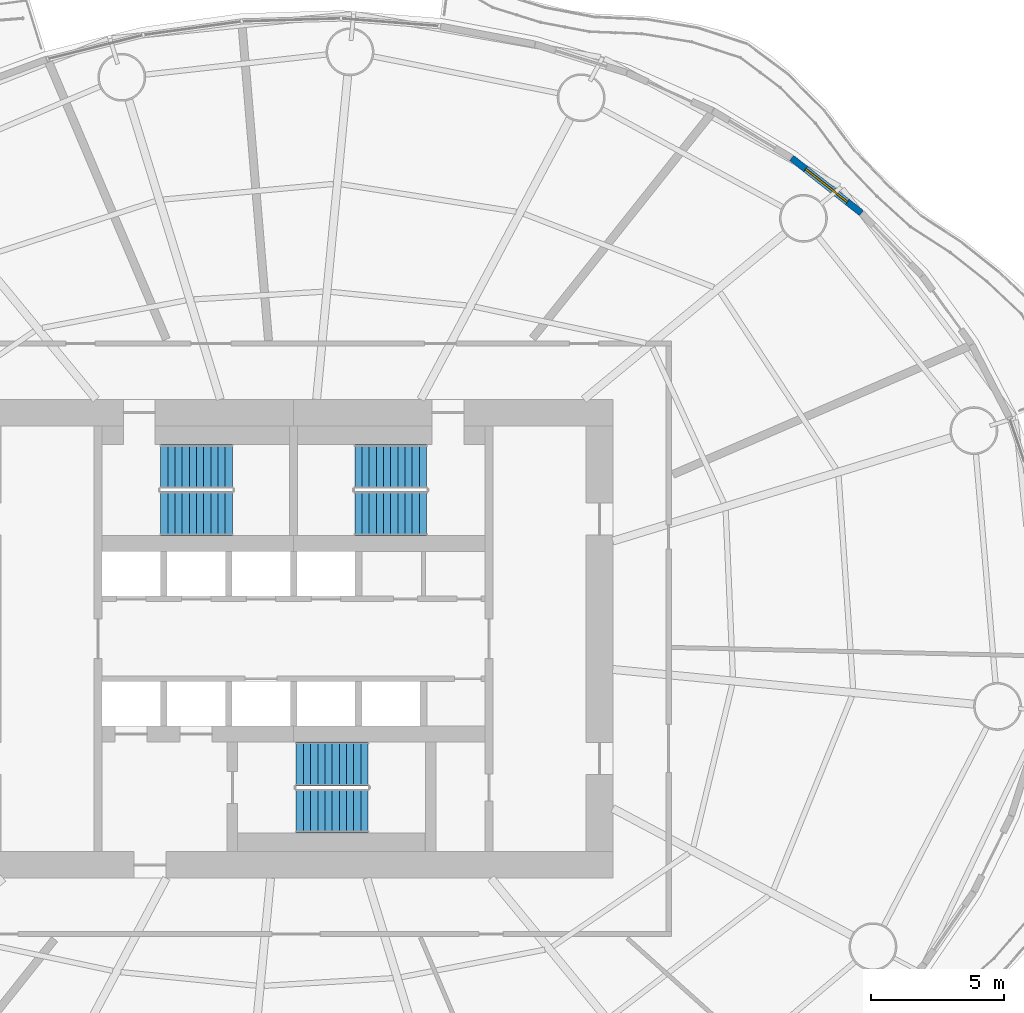
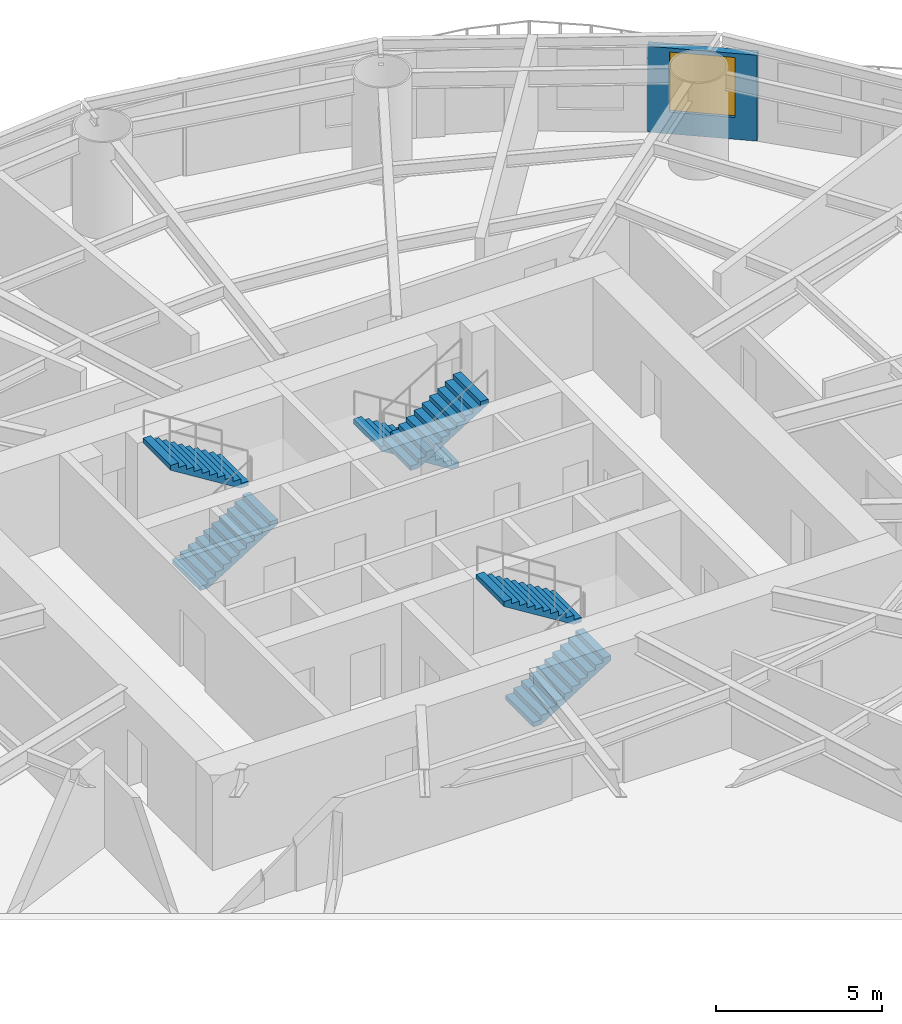
# One storey, part 11 of 17: 6 stair flights, 1 wall, 1 window, 1 opening, 3 elements without a shape of their own.
"""IFC4 building model written with IfcOpenShell, lengths in metres."""

from ifc_helpers import new_model, si_unit, direction, frame, frame_2d, origin, place, context, subcontext, project, spatial, polyline, rectangle, outline, extrude, material, layer, layer_set, type_object, element, fill, aggregate, save


model = new_model("IFC4")

# Units and contexts
model_context = context("Model", 3, precision=1e-05, world=origin(), true_north=direction((0.0, 1.0)))
body_context = subcontext(model_context, "Body", "Model", "MODEL_VIEW")
ifc_project = project(units=[si_unit("LENGTHUNIT", "METRE"), si_unit("AREAUNIT", "SQUARE_METRE"), si_unit("VOLUMEUNIT", "CUBIC_METRE"), si_unit("PLANEANGLEUNIT", "RADIAN"), si_unit("MASSUNIT", "GRAM", prefix="KILO")], contexts=[model_context])

# Site, building, storey
site_placement = place(None, origin())
site = spatial("IfcSite", under=ifc_project, at=site_placement, CompositionType="ELEMENT")
building_placement = place(site_placement, origin())
building = spatial("IfcBuilding", under=site, at=building_placement, Name="Vermilion Reach Broadcast Tower", CompositionType="ELEMENT")
storey_placement = place(building_placement, frame((0.0, 0.0, 54.5)))
storey = spatial("IfcBuildingStorey", under=building, at=storey_placement, Name="L10", CompositionType="ELEMENT", Elevation=54.5)

# Wall, opening, window
ifc_material_1 = material(Name="Terracotta rainscreen cladding", Category="masonry")
ifc_layer = layer(ifc_material_1, 0.25)
ifc_layer_set = layer_set([ifc_layer], Name="Terracotta rainscreen wall 250")
wall_type = type_object("IfcWallType", Name="Terracotta rainscreen wall 250", PredefinedType="SOLIDWALL", material=ifc_layer_set)
wall_placement = place(storey_placement, frame((15.3447265625, 16.005126953125, 0.0), z_axis=(0.0, 0.0, 1.0), x_axis=(-0.785221920125, 0.619214450861, 0.0)))
wall = element("IfcWall", 1, at=wall_placement, inside=storey, type_object=wall_type, Name="External wall L10 05", PredefinedType="SOLIDWALL", context=body_context, shape_type="SweptSolid", body=[
    extrude(rectangle(XDim=3.333984375, YDim=0.25, at=frame_2d((1.6669921875, 0.0))), origin(), (0.0, 0.0, 1.0), 3.14990234375),
])
opening_placement = place(wall_placement, frame((0.6669921875, 0.0, 0.800048828125)))
opening = element("IfcOpeningElement", 2, at=opening_placement, cuts=wall, Name="Opening W01", PredefinedType="OPENING", context=body_context, shape_type="SweptSolid", body=[
    extrude(rectangle(XDim=2.0, YDim=2.199951171875, at=frame_2d((1.0, 1.10009765625))), frame((0.0, 0.135009765625, 0.0), z_axis=(0.0, -1.0, 0.0), x_axis=(1.0, 0.0, 0.0)), (0.0, 0.0, 1.0), 0.27001953125),
])
ifc_material_2 = material(Name="Low-e laminated clear glass in aluminium frame", Category="aluminium")
window_type = type_object("IfcWindowType", Name="Punched window 2000 x 2200 sill 800", PartitioningType="SINGLE_PANEL", PredefinedType="WINDOW", material=ifc_material_2)
window_placement = place(opening_placement, origin())
window = element("IfcWindow", 3, at=window_placement, inside=storey, type_object=window_type, Name="Window L10 05", OverallHeight=2.199951171875, OverallWidth=2.0, PartitioningType="SINGLE_PANEL", PredefinedType="WINDOW", context=body_context, shape_type="SweptSolid", body=[
    extrude(rectangle(XDim=2.0, YDim=2.199951171875, at=frame_2d((1.0, 1.10009765625))), frame((0.0, 0.030029296875, 0.0), z_axis=(0.0, -1.0, 0.0), x_axis=(1.0, 0.0, 0.0)), (0.0, 0.0, 1.0), 0.06005859375),
])
fill(opening, window)

# Stair, stair flights
ifc_material_3 = material(Name="Concrete C40", Category="concrete")
stair_type = type_object("IfcStairType", Name="Exit stair RC 22 risers 168 mm", PredefinedType="HALF_TURN_STAIR", material=ifc_material_3)
placement = place(storey_placement, origin())
stair_1 = element("IfcStair", 4, at=placement, inside=storey, type_object=stair_type, Name="L10 Exit stair ST1", PredefinedType="HALF_TURN_STAIR")
ifc_material_4 = material(Name="Concrete C40", Category="concrete")
stair_flight_type = type_object("IfcStairFlightType", Name="Exit stair flight RC 11 risers", PredefinedType="STRAIGHT", material=ifc_material_4)
stair_flight_1_placement = place(storey_placement, frame((-11.0, 4.7099609375, 0.0), z_axis=(0.0, 0.0, 1.0), x_axis=(1.0, 0.0, 0.0)))
stair_flight_1 = element("IfcStairFlight", 5, at=stair_flight_1_placement, type_object=stair_flight_type, Name="ST1 flight 1", NumberOfRisers=11, NumberOfTreads=10, PredefinedType="STRAIGHT", RiserHeight=0.168181818, TreadLength=0.27, context=body_context, shape_type="SweptSolid", body=[
    extrude(outline(polyline([(0.0, 0.0), (0.0, 0.168212890625), (0.27001953125, 0.168212890625), (0.27001953125, 0.33642578125), (0.5400390625, 0.33642578125), (0.5400390625, 0.504638671875), (0.81005859375, 0.504638671875), (0.81005859375, 0.672607421875), (1.080078125, 0.672607421875), (1.080078125, 0.8408203125), (1.35009765625, 0.8408203125), (1.35009765625, 1.009033203125), (1.6201171875, 1.009033203125), (1.6201171875, 1.17724609375), (1.889892578125, 1.17724609375), (1.889892578125, 1.345458984375), (2.159912109375, 1.345458984375), (2.159912109375, 1.513671875), (2.429931640625, 1.513671875), (2.429931640625, 1.681884765625), (2.699951171875, 1.681884765625), (2.699951171875, 1.85009765625), (2.699951171875, 1.505126953125), (0.283447265625, 0.0), (0.0, 0.0)])), frame((0.0, 0.830078125, 0.0), z_axis=(0.0, -1.0, 0.0), x_axis=(1.0, 0.0, 0.0)), (0.0, 0.0, 1.0), 1.659912109375),
])
stair_flight_2_placement = place(storey_placement, frame((-8.300048828125, 6.469970703125, 1.85009765625), z_axis=(0.0, 0.0, 1.0), x_axis=(-1.0, 0.0, 0.0)))
stair_flight_2 = element("IfcStairFlight", 6, at=stair_flight_2_placement, type_object=stair_flight_type, Name="ST1 flight 2", NumberOfRisers=11, NumberOfTreads=10, PredefinedType="STRAIGHT", RiserHeight=0.168181818, TreadLength=0.27, context=body_context, shape_type="SweptSolid", body=[
    extrude(outline(polyline([(0.0, 0.0), (0.0, 0.168212890625), (0.27001953125, 0.168212890625), (0.27001953125, 0.33642578125), (0.5400390625, 0.33642578125), (0.5400390625, 0.504638671875), (0.81005859375, 0.504638671875), (0.81005859375, 0.672607421875), (1.080078125, 0.672607421875), (1.080078125, 0.8408203125), (1.35009765625, 0.8408203125), (1.35009765625, 1.009033203125), (1.6201171875, 1.009033203125), (1.6201171875, 1.17724609375), (1.889892578125, 1.17724609375), (1.889892578125, 1.345458984375), (2.159912109375, 1.345458984375), (2.159912109375, 1.513671875), (2.429931640625, 1.513671875), (2.429931640625, 1.681884765625), (2.699951171875, 1.681884765625), (2.699951171875, 1.85009765625), (2.699951171875, 1.505126953125), (0.283447265625, 0.0), (0.0, 0.0)])), frame((0.0, 0.830078125, 0.0), z_axis=(0.0, -1.0, 0.0), x_axis=(1.0, 0.0, 0.0)), (0.0, 0.0, 1.0), 1.659912109375),
])
aggregate(stair_1, [stair_flight_1, stair_flight_2])

stair_2 = element("IfcStair", 7, at=placement, inside=storey, type_object=stair_type, Name="L10 Exit stair ST2", PredefinedType="HALF_TURN_STAIR")
stair_flight_3_placement = place(storey_placement, frame((-1.0, 6.469970703125, 0.0), z_axis=(0.0, 0.0, 1.0), x_axis=(-1.0, 0.0, 0.0)))
stair_flight_3 = element("IfcStairFlight", 8, at=stair_flight_3_placement, type_object=stair_flight_type, Name="ST2 flight 1", NumberOfRisers=11, NumberOfTreads=10, PredefinedType="STRAIGHT", RiserHeight=0.168181818, TreadLength=0.27, context=body_context, shape_type="SweptSolid", body=[
    extrude(outline(polyline([(0.0, 0.0), (0.0, 0.168212890625), (0.27001953125, 0.168212890625), (0.27001953125, 0.33642578125), (0.5400390625, 0.33642578125), (0.5400390625, 0.504638671875), (0.81005859375, 0.504638671875), (0.81005859375, 0.672607421875), (1.080078125, 0.672607421875), (1.080078125, 0.8408203125), (1.35009765625, 0.8408203125), (1.35009765625, 1.009033203125), (1.6201171875, 1.009033203125), (1.6201171875, 1.17724609375), (1.889892578125, 1.17724609375), (1.889892578125, 1.345458984375), (2.159912109375, 1.345458984375), (2.159912109375, 1.513671875), (2.429931640625, 1.513671875), (2.429931640625, 1.681884765625), (2.699951171875, 1.681884765625), (2.699951171875, 1.85009765625), (2.699951171875, 1.505126953125), (0.283447265625, 0.0), (0.0, 0.0)])), frame((0.0, 0.830078125, 0.0), z_axis=(0.0, -1.0, 0.0), x_axis=(1.0, 0.0, 0.0)), (0.0, 0.0, 1.0), 1.659912109375),
])
stair_flight_4_placement = place(storey_placement, frame((-3.699951171875, 4.7099609375, 1.85009765625), z_axis=(0.0, 0.0, 1.0), x_axis=(1.0, 0.0, 0.0)))
stair_flight_4 = element("IfcStairFlight", 9, at=stair_flight_4_placement, type_object=stair_flight_type, Name="ST2 flight 2", NumberOfRisers=11, NumberOfTreads=10, PredefinedType="STRAIGHT", RiserHeight=0.168181818, TreadLength=0.27, context=body_context, shape_type="SweptSolid", body=[
    extrude(outline(polyline([(0.0, 0.0), (0.0, 0.168212890625), (0.27001953125, 0.168212890625), (0.27001953125, 0.33642578125), (0.5400390625, 0.33642578125), (0.5400390625, 0.504638671875), (0.81005859375, 0.504638671875), (0.81005859375, 0.672607421875), (1.080078125, 0.672607421875), (1.080078125, 0.8408203125), (1.35009765625, 0.8408203125), (1.35009765625, 1.009033203125), (1.6201171875, 1.009033203125), (1.6201171875, 1.17724609375), (1.889892578125, 1.17724609375), (1.889892578125, 1.345458984375), (2.159912109375, 1.345458984375), (2.159912109375, 1.513671875), (2.429931640625, 1.513671875), (2.429931640625, 1.681884765625), (2.699951171875, 1.681884765625), (2.699951171875, 1.85009765625), (2.699951171875, 1.505126953125), (0.283447265625, 0.0), (0.0, 0.0)])), frame((0.0, 0.830078125, 0.0), z_axis=(0.0, -1.0, 0.0), x_axis=(1.0, 0.0, 0.0)), (0.0, 0.0, 1.0), 1.659912109375),
])
aggregate(stair_2, [stair_flight_3, stair_flight_4])

stair_3 = element("IfcStair", 10, at=placement, inside=storey, type_object=stair_type, Name="L10 Exit stair ST3", PredefinedType="HALF_TURN_STAIR")
stair_flight_5_placement = place(storey_placement, frame((-5.89990234375, -6.469970703125, 0.0), z_axis=(0.0, 0.0, 1.0), x_axis=(1.0, 0.0, 0.0)))
stair_flight_5 = element("IfcStairFlight", 11, at=stair_flight_5_placement, type_object=stair_flight_type, Name="ST3 flight 1", NumberOfRisers=11, NumberOfTreads=10, PredefinedType="STRAIGHT", RiserHeight=0.168181818, TreadLength=0.27, context=body_context, shape_type="SweptSolid", body=[
    extrude(outline(polyline([(0.0, 0.0), (0.0, 0.168212890625), (0.27001953125, 0.168212890625), (0.27001953125, 0.33642578125), (0.5400390625, 0.33642578125), (0.5400390625, 0.504638671875), (0.81005859375, 0.504638671875), (0.81005859375, 0.672607421875), (1.080078125, 0.672607421875), (1.080078125, 0.8408203125), (1.35009765625, 0.8408203125), (1.35009765625, 1.009033203125), (1.6201171875, 1.009033203125), (1.6201171875, 1.17724609375), (1.889892578125, 1.17724609375), (1.889892578125, 1.345458984375), (2.159912109375, 1.345458984375), (2.159912109375, 1.513671875), (2.429931640625, 1.513671875), (2.429931640625, 1.681884765625), (2.699951171875, 1.681884765625), (2.699951171875, 1.85009765625), (2.699951171875, 1.505126953125), (0.283447265625, 0.0), (0.0, 0.0)])), frame((0.0, 0.830078125, 0.0), z_axis=(0.0, -1.0, 0.0), x_axis=(1.0, 0.0, 0.0)), (0.0, 0.0, 1.0), 1.659912109375),
])
stair_flight_6_placement = place(storey_placement, frame((-3.199951171875, -4.7099609375, 1.85009765625), z_axis=(0.0, 0.0, 1.0), x_axis=(-1.0, 0.0, 0.0)))
stair_flight_6 = element("IfcStairFlight", 12, at=stair_flight_6_placement, type_object=stair_flight_type, Name="ST3 flight 2", NumberOfRisers=11, NumberOfTreads=10, PredefinedType="STRAIGHT", RiserHeight=0.168181818, TreadLength=0.27, context=body_context, shape_type="SweptSolid", body=[
    extrude(outline(polyline([(0.0, 0.0), (0.0, 0.168212890625), (0.27001953125, 0.168212890625), (0.27001953125, 0.33642578125), (0.5400390625, 0.33642578125), (0.5400390625, 0.504638671875), (0.81005859375, 0.504638671875), (0.81005859375, 0.672607421875), (1.080078125, 0.672607421875), (1.080078125, 0.8408203125), (1.35009765625, 0.8408203125), (1.35009765625, 1.009033203125), (1.6201171875, 1.009033203125), (1.6201171875, 1.17724609375), (1.889892578125, 1.17724609375), (1.889892578125, 1.345458984375), (2.159912109375, 1.345458984375), (2.159912109375, 1.513671875), (2.429931640625, 1.513671875), (2.429931640625, 1.681884765625), (2.699951171875, 1.681884765625), (2.699951171875, 1.85009765625), (2.699951171875, 1.505126953125), (0.283447265625, 0.0), (0.0, 0.0)])), frame((0.0, 0.830078125, 0.0), z_axis=(0.0, -1.0, 0.0), x_axis=(1.0, 0.0, 0.0)), (0.0, 0.0, 1.0), 1.659912109375),
])
aggregate(stair_3, [stair_flight_5, stair_flight_6])

save(model, "model.ifc")
